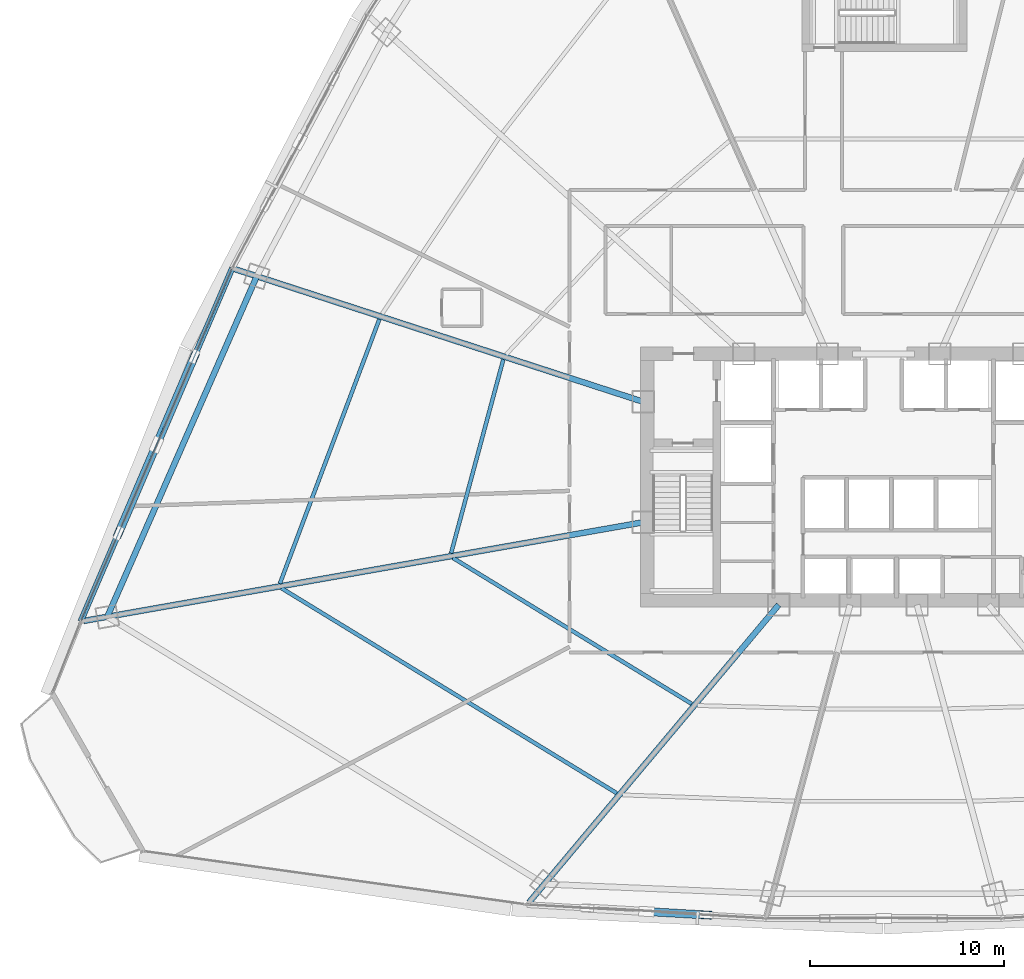
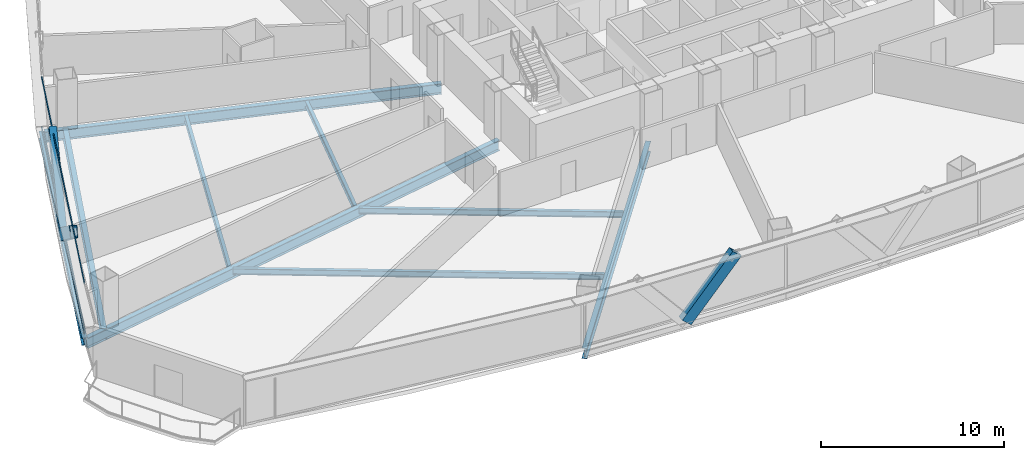
# One storey, part 7 of 37: 9 beams, 5 members, 1 element without a shape of its own.
"""IFC4 building model written with IfcOpenShell, lengths in metres."""

import ifcopenshell
import ifcopenshell.guid

model = None  # the IFC model being written
_history = None  # IfcOwnerHistory: only IFC2X3 demands one
_inside = {}  # id of a spatial element -> (the spatial element, [elements in it])
_under = {}  # id of a project, library or spatial element -> (it, [spatial elements below it])
_declared = {}  # id of a project -> (the project, [libraries it declares])
_typed = {}  # id of a type object -> (the type object, [elements of that type])
_made_of = {}  # id of a material, layer set ... -> (it, [elements and type objects made of it])


def new_model(schema):
    """Start an empty IFC model of exactly this schema.

    Asked for "IFC4X3", IfcOpenShell would pick the latest addendum, in which some entities
    have other attributes; the version numbers below select the first issue.
    IFC2X3 requires an IfcOwnerHistory on every rooted entity: one is made here for all.
    """
    global model, _history
    if schema == "IFC4X3":
        model = ifcopenshell.file(schema_version=(4, 3, 0, 0))
    else:
        model = ifcopenshell.file(schema=schema)
    _inside.clear()
    _under.clear()
    _declared.clear()
    _typed.clear()
    _made_of.clear()
    _history = None
    if model.schema == "IFC2X3":
        org = make("IfcOrganization", Name="unknown")
        user = make(
            "IfcPersonAndOrganization",
            ThePerson=make("IfcPerson", FamilyName="unknown"),
            TheOrganization=org,
        )
        app = make(
            "IfcApplication",
            ApplicationDeveloper=org,
            Version="unknown",
            ApplicationFullName="unknown",
            ApplicationIdentifier="unknown",
        )
        _history = make(
            "IfcOwnerHistory",
            OwningUser=user,
            OwningApplication=app,
            ChangeAction="ADDED",
            CreationDate=0,
        )
    return model


def make(cls, **values):
    """One entity of the class cls with the attributes given. An attribute that is None is left unset."""
    return model.create_entity(
        cls, **{name: value for name, value in values.items() if value is not None}
    )


def rooted(cls, **values):
    """An entity with a GlobalId (a new one), such as an element, a storey or a relation."""
    return make(cls, GlobalId=ifcopenshell.guid.new(), OwnerHistory=_history, **values)


def si_unit(unit_type, name, prefix=None):
    """IfcSIUnit, for example si_unit("LENGTHUNIT", "METRE", prefix="MILLI")."""
    return make("IfcSIUnit", UnitType=unit_type, Prefix=prefix, Name=name)


def assignment(units):
    """IfcUnitAssignment: the units of a project."""
    return None if units is None else make("IfcUnitAssignment", Units=units)


def point(xyz):
    """IfcCartesianPoint."""
    return None if xyz is None else make("IfcCartesianPoint", Coordinates=xyz)


def direction(xyz):
    """IfcDirection."""
    return None if xyz is None else make("IfcDirection", DirectionRatios=xyz)


def frame(location, z_axis=None, x_axis=None):
    """IfcAxis2Placement3D, a coordinate frame: its origin and axes. An axis left out is left unset."""
    return make(
        "IfcAxis2Placement3D",
        Location=point(location),
        Axis=direction(z_axis),
        RefDirection=direction(x_axis),
    )


def frame_2d(location, x_axis=None):
    """IfcAxis2Placement2D, a coordinate frame in the plane: its origin and x axis."""
    return make(
        "IfcAxis2Placement2D", Location=point(location), RefDirection=direction(x_axis)
    )


def origin():
    """The frame at (0, 0, 0) with its axes left unset."""
    return frame((0.0, 0.0, 0.0))


def origin_2d():
    """The frame at (0, 0) in the plane with its x axis left unset."""
    return frame_2d((0.0, 0.0))


def place(relative_to, where):
    """IfcLocalPlacement: puts the frame where relative to a parent placement (None: the world)."""
    return make(
        "IfcLocalPlacement", PlacementRelTo=relative_to, RelativePlacement=where
    )


def context(
    kind, dimensions, precision=None, world=None, true_north=None, identifier=None
):
    """IfcGeometricRepresentationContext, for example the 3D "Model" context."""
    return make(
        "IfcGeometricRepresentationContext",
        ContextIdentifier=identifier,
        ContextType=kind,
        CoordinateSpaceDimension=dimensions,
        Precision=precision,
        WorldCoordinateSystem=world,
        TrueNorth=true_north,
    )


def subcontext(parent, identifier, kind, view, scale=None):
    """IfcGeometricRepresentationSubContext, for example "Body" below "Model"."""
    return make(
        "IfcGeometricRepresentationSubContext",
        ContextIdentifier=identifier,
        ContextType=kind,
        ParentContext=parent,
        TargetScale=scale,
        TargetView=view,
    )


def project(units=None, contexts=None):
    """IfcProject with its units and contexts."""
    return rooted(
        "IfcProject",
        Name="project",
        RepresentationContexts=contexts,
        UnitsInContext=assignment(units),
    )


def spatial(cls, under=None, at=None, **own):
    """A site, building, storey or space (cls), placed at a placement, below another one or the project."""
    s = rooted(cls, ObjectPlacement=at, **own)
    if under is not None:
        _under.setdefault(under.id(), (under, []))[1].append(s)
    return s


def profile(cls, at=None, kind="AREA", **sizes):
    """A parametric profile (cls). Its sizes go by their IFC names, for example OverallWidth=200.0."""
    return make(cls, ProfileType=kind, Position=at, **sizes)


def hollow_rectangle(**sizes):
    """IfcRectangleHollowProfileDef."""
    return profile("IfcRectangleHollowProfileDef", **sizes)


def i_section(**sizes):
    """IfcIShapeProfileDef."""
    return profile("IfcIShapeProfileDef", **sizes)


def extrude(swept, where, along, depth):
    """IfcExtrudedAreaSolid: the profile swept, set in the frame where, extruded along a direction by depth."""
    return make(
        "IfcExtrudedAreaSolid",
        SweptArea=swept,
        Position=where,
        ExtrudedDirection=direction(along),
        Depth=depth,
    )


def shape(context_of_items, identifier, shape_type, items):
    """IfcShapeRepresentation: the items that make up one representation, for example the "Body"."""
    return make(
        "IfcShapeRepresentation",
        ContextOfItems=context_of_items,
        RepresentationIdentifier=identifier,
        RepresentationType=shape_type,
        Items=items,
    )


def source(mapping_origin, context_of_items, identifier, shape_type, items):
    """IfcRepresentationMap: a shape defined once, which mapped items show again and again."""
    return make(
        "IfcRepresentationMap",
        MappingOrigin=mapping_origin,
        MappedRepresentation=shape(context_of_items, identifier, shape_type, items),
    )


def transform(
    local_origin,
    x_axis=None,
    y_axis=None,
    z_axis=None,
    scale=None,
    scale2=None,
    scale3=None,
    uniform=True,
):
    """IfcCartesianTransformationOperator3D, or its non-uniform kind. x_axis, y_axis, z_axis: its Axis1, 2, 3."""
    if uniform:
        return make(
            "IfcCartesianTransformationOperator3D",
            Axis1=direction(x_axis),
            Axis2=direction(y_axis),
            LocalOrigin=point(local_origin),
            Scale=scale,
            Axis3=direction(z_axis),
        )
    return make(
        "IfcCartesianTransformationOperator3DnonUniform",
        Axis1=direction(x_axis),
        Axis2=direction(y_axis),
        LocalOrigin=point(local_origin),
        Scale=scale,
        Axis3=direction(z_axis),
        Scale2=scale2,
        Scale3=scale3,
    )


def mapped(mapping_source, mapping_target):
    """IfcMappedItem: shows the shape of a source again, moved by a transform."""
    return make(
        "IfcMappedItem", MappingSource=mapping_source, MappingTarget=mapping_target
    )


def material(Name=None, Category=None):
    """IfcMaterial."""
    return make("IfcMaterial", Name=Name, Category=Category)


def layer(
    of_material, thickness, ventilated=None, Name=None, Category=None, Priority=None
):
    """IfcMaterialLayer: one layer of a wall or slab, of a material (None: an air gap)."""
    return make(
        "IfcMaterialLayer",
        Material=of_material,
        LayerThickness=thickness,
        IsVentilated=ventilated,
        Name=Name,
        Category=Category,
        Priority=Priority,
    )


def layer_set(layers, Name=None):
    """IfcMaterialLayerSet."""
    return make("IfcMaterialLayerSet", MaterialLayers=layers, LayerSetName=Name)


def material_profile(
    of_material, cross_section, Name=None, Category=None, Priority=None
):
    """IfcMaterialProfile: a cross section and its material."""
    return make(
        "IfcMaterialProfile",
        Name=Name,
        Material=of_material,
        Profile=cross_section,
        Priority=Priority,
        Category=Category,
    )


def profile_set(profiles, Name=None, composite=None):
    """IfcMaterialProfileSet."""
    return make(
        "IfcMaterialProfileSet",
        Name=Name,
        MaterialProfiles=profiles,
        CompositeProfile=composite,
    )


def made_of(thing, what):
    """Note that an element or type object is made of a material, layer set ...; save() writes the relation."""
    if what is not None:
        _made_of.setdefault(what.id(), (what, []))[1].append(thing)
    return thing


def type_object(cls, material=None, **own):
    """A type object (cls), such as IfcWallType, which elements share."""
    return made_of(rooted(cls, **own), material)


def element(
    cls,
    number,
    at=None,
    inside=None,
    cuts=None,
    type_object=None,
    material=None,
    context=None,
    identifier="Body",
    shape_type=None,
    held_by="IfcProductDefinitionShape",
    body=None,
    shapes=None,
    **own,
):
    """One element of the class cls, such as IfcWall. Its Tag is "e" and its number.

    at: its placement. inside: the storey or other place that contains it. cuts: it is an
    opening in that element (IfcRelVoidsElement). A single representation is given by context,
    identifier, shape_type and body (its items); several are given by shapes. held_by: the class
    of the entity that holds the representations. save() writes the other relations.
    """
    e = rooted(cls, Tag="e%d" % number, ObjectPlacement=at, **own)
    if body is not None:
        shapes = [shape(context, identifier, shape_type, body)]
    if shapes is not None:
        e.Representation = make(held_by, Representations=shapes)
    if inside is not None:
        _inside.setdefault(inside.id(), (inside, []))[1].append(e)
    if cuts is not None:
        rooted(
            "IfcRelVoidsElement", RelatingBuildingElement=cuts, RelatedOpeningElement=e
        )
    if type_object is not None:
        _typed.setdefault(type_object.id(), (type_object, []))[1].append(e)
    return made_of(e, material)


def aggregate(whole, parts):
    """IfcRelAggregates: a whole, such as a stair, and the parts it consists of."""
    return rooted("IfcRelAggregates", RelatingObject=whole, RelatedObjects=parts)


def save(model, path):
    """Write the relations noted so far, then the file.

    IfcRelAggregates (storeys below a building ...), IfcRelContainedInSpatialStructure (elements
    in a storey), IfcRelDefinesByType, IfcRelAssociatesMaterial and IfcRelDeclares: one each for
    every whole, place, type object, material and project.
    """
    for whole, parts in _under.values():
        aggregate(whole, parts)
    for where, things in _inside.values():
        rooted(
            "IfcRelContainedInSpatialStructure",
            RelatedElements=things,
            RelatingStructure=where,
        )
    for kind, things in _typed.values():
        rooted("IfcRelDefinesByType", RelatedObjects=things, RelatingType=kind)
    for what, things in _made_of.values():
        rooted("IfcRelAssociatesMaterial", RelatedObjects=things, RelatingMaterial=what)
    for by, libraries in _declared.values():
        rooted("IfcRelDeclares", RelatingContext=by, RelatedDefinitions=libraries)
    model.write(path)


model = new_model("IFC4")

# Units and contexts
model_context = context("Model", 3, precision=1e-05, world=origin(), true_north=direction((0.0, 1.0)))
body_context = subcontext(model_context, "Body", "Model", "MODEL_VIEW")
ifc_project = project(units=[si_unit("LENGTHUNIT", "METRE"), si_unit("AREAUNIT", "SQUARE_METRE"), si_unit("VOLUMEUNIT", "CUBIC_METRE"), si_unit("PLANEANGLEUNIT", "RADIAN"), si_unit("MASSUNIT", "GRAM", prefix="KILO"), si_unit("THERMODYNAMICTEMPERATUREUNIT", "KELVIN"), si_unit("POWERUNIT", "WATT")], contexts=[model_context])

# Site, building, storey
site_placement = place(None, origin())
site = spatial("IfcSite", under=ifc_project, at=site_placement, CompositionType="ELEMENT")
building_placement = place(site_placement, origin())
building = spatial("IfcBuilding", under=site, at=building_placement, Name="Yunzhuo Pagoda Commons", CompositionType="ELEMENT")
storey_placement = place(building_placement, frame((0.0, 0.0, 55.81005859375)))
storey = spatial("IfcBuildingStorey", under=building, at=storey_placement, Name="L14", CompositionType="ELEMENT", Elevation=55.81005859375)

# Beams
ifc_material_1 = material(Name="Structural steel Q355B", Category="steel")
ifc_material_profile_1 = material_profile(ifc_material_1, i_section(OverallWidth=0.300048828125, OverallDepth=0.699951171875, WebThickness=0.012939453125, FlangeThickness=0.02392578125, at=origin_2d()), Name="Structural steel Q355B")
ifc_profile_set_1 = profile_set([ifc_material_profile_1], Name="Structural steel Q355B")
beam_type_1 = type_object("IfcBeamType", Name="B-RG1 Beam HN 700x300x13x24", PredefinedType="BEAM", material=ifc_profile_set_1)
shared_shape_1 = source(origin(), body_context, "Body", "SweptSolid", [
    extrude(i_section(OverallWidth=0.300048828125, OverallDepth=0.699951171875, WebThickness=0.012939453125, FlangeThickness=0.02392578125, at=origin_2d()), origin(), (0.0, 0.0, 1.0), 19.18603515625),
])
beam_1_placement = place(storey_placement, frame((15.66455078125, 44.206298828125, -0.610107421875), z_axis=(-0.40196534204, -0.915654882474, 0.0), x_axis=(0.915654882474, -0.40196534204, 0.0)))
element("IfcBeam", 1, at=beam_1_placement, inside=storey, type_object=beam_type_1, Name="L14 column-ring beam 11", PredefinedType="BEAM", context=body_context, shape_type="MappedRepresentation", body=[
    mapped(shared_shape_1, transform((0.0, 0.0, 0.0), scale=1.0)),
])
ifc_material_profile_2 = material_profile(ifc_material_1, i_section(OverallWidth=0.199951171875, OverallDepth=0.39990234375, WebThickness=0.008056640625, FlangeThickness=0.012939453125, at=origin_2d()), Name="Structural steel Q355B")
ifc_profile_set_2 = profile_set([ifc_material_profile_2], Name="Structural steel Q355B")
beam_type_2 = type_object("IfcBeamType", Name="B-JS1 Joist HN 400x200x8x13", PredefinedType="JOIST", material=ifc_profile_set_2)
shared_shape_2 = source(origin(), body_context, "Body", "SweptSolid", [
    extrude(i_section(OverallWidth=0.199951171875, OverallDepth=0.39990234375, WebThickness=0.008056640625, FlangeThickness=0.012939453125, at=origin_2d()), origin(), (0.0, 0.0, 1.0), 14.4365234375),
])
beam_2_placement = place(storey_placement, frame((25.782470703125, 29.675537109375, -0.4599609375), z_axis=(0.85325633277, -0.521491735876, 0.0), x_axis=(0.521491735876, 0.85325633277, 0.0)))
element("IfcBeam", 2, at=beam_2_placement, inside=storey, type_object=beam_type_2, Name="L14 composite ring joist 1.12", PredefinedType="JOIST", context=body_context, shape_type="MappedRepresentation", body=[
    mapped(shared_shape_2, transform((0.0, 0.0, 0.0), scale=1.0)),
])
shared_shape_3 = source(origin(), body_context, "Body", "SweptSolid", [
    extrude(i_section(OverallWidth=0.199951171875, OverallDepth=0.39990234375, WebThickness=0.008056640625, FlangeThickness=0.012939453125, at=origin_2d()), origin(), (0.0, 0.0, 1.0), 20.275634765625),
])
beam_3_placement = place(storey_placement, frame((16.935302734375, 28.11572265625, -0.4599609375), z_axis=(0.853102898066, -0.521742700295, 0.0), x_axis=(0.521742700295, 0.853102898066, 0.0)))
element("IfcBeam", 3, at=beam_3_placement, inside=storey, type_object=beam_type_2, Name="L14 composite ring joist 2.12", PredefinedType="JOIST", context=body_context, shape_type="MappedRepresentation", body=[
    mapped(shared_shape_3, transform((0.0, 0.0, 0.0), scale=1.0)),
])
shared_shape_4 = source(origin(), body_context, "Body", "SweptSolid", [
    extrude(i_section(OverallWidth=0.199951171875, OverallDepth=0.39990234375, WebThickness=0.008056640625, FlangeThickness=0.012939453125, at=origin_2d()), origin(), (0.0, 0.0, 1.0), 10.351806640625),
])
beam_4_placement = place(storey_placement, frame((28.3818359375, 39.9072265625, -0.4599609375), z_axis=(-0.260208595802, -0.965552425646, 0.0), x_axis=(0.965552425646, -0.260208595802, 0.0)))
element("IfcBeam", 4, at=beam_4_placement, inside=storey, type_object=beam_type_2, Name="L14 composite ring joist 1.11", PredefinedType="JOIST", context=body_context, shape_type="MappedRepresentation", body=[
    mapped(shared_shape_4, transform((0.0, 0.0, 0.0), scale=1.0)),
])
shared_shape_5 = source(origin(), body_context, "Body", "SweptSolid", [
    extrude(i_section(OverallWidth=0.199951171875, OverallDepth=0.39990234375, WebThickness=0.008056640625, FlangeThickness=0.012939453125, at=origin_2d()), origin(), (0.0, 0.0, 1.0), 14.571044921875),
])
beam_5_placement = place(storey_placement, frame((21.98779296875, 41.98486328125, -0.4599609375), z_axis=(-0.352208383632, -0.935921607027, 0.0), x_axis=(0.935921607027, -0.352208383632, 0.0)))
element("IfcBeam", 5, at=beam_5_placement, inside=storey, type_object=beam_type_2, Name="L14 composite ring joist 2.11", PredefinedType="JOIST", context=body_context, shape_type="MappedRepresentation", body=[
    mapped(shared_shape_5, transform((0.0, 0.0, 0.0), scale=1.0)),
])
shared_shape_6 = source(origin(), body_context, "Body", "SweptSolid", [
    extrude(i_section(OverallWidth=0.300048828125, OverallDepth=0.699951171875, WebThickness=0.012939453125, FlangeThickness=0.02392578125, at=origin_2d()), origin(), (0.0, 0.0, 1.0), 20.031005859375),
])
beam_6_placement = place(storey_placement, frame((29.712158203125, 11.9052734375, -0.610107421875), z_axis=(0.642786965849, 0.766044983362, 0.0), x_axis=(-0.766044983362, 0.642786965849, 0.0)))
element("IfcBeam", 6, at=beam_6_placement, inside=storey, type_object=beam_type_1, Name="L14 radial floor girder F1C1", PredefinedType="BEAM", context=body_context, shape_type="MappedRepresentation", body=[
    mapped(shared_shape_6, transform((0.0, 0.0, 0.0), scale=1.0)),
])
shared_shape_7 = source(origin(), body_context, "Body", "SweptSolid", [
    extrude(i_section(OverallWidth=0.300048828125, OverallDepth=0.699951171875, WebThickness=0.012939453125, FlangeThickness=0.02392578125, at=origin_2d()), origin(), (0.0, 0.0, 1.0), 29.313232421875),
])
beam_7_placement = place(storey_placement, frame((6.732177734375, 26.42333984375, -0.610107421875), z_axis=(0.984808367131, 0.173644694792, 0.0), x_axis=(-0.173644694792, 0.984808367131, 0.0)))
element("IfcBeam", 7, at=beam_7_placement, inside=storey, type_object=beam_type_1, Name="L14 radial floor girder F3C4", PredefinedType="BEAM", context=body_context, shape_type="MappedRepresentation", body=[
    mapped(shared_shape_7, transform((0.0, 0.0, 0.0), scale=1.0)),
])
shared_shape_8 = source(origin(), body_context, "Body", "SweptSolid", [
    extrude(i_section(OverallWidth=0.300048828125, OverallDepth=0.699951171875, WebThickness=0.012939453125, FlangeThickness=0.02392578125, at=origin_2d()), origin(), (0.0, 0.0, 1.0), 22.139404296875),
])
beam_8_placement = place(storey_placement, frame((14.54443359375, 44.570556640625, -0.610107421875), z_axis=(0.951054488387, -0.309023235565, 0.0), x_axis=(0.309023235565, 0.951054488387, 0.0)))
element("IfcBeam", 8, at=beam_8_placement, inside=storey, type_object=beam_type_1, Name="L14 radial floor girder F3C3", PredefinedType="BEAM", context=body_context, shape_type="MappedRepresentation", body=[
    mapped(shared_shape_8, transform((0.0, 0.0, 0.0), scale=1.0)),
])
ifc_material_profile_3 = material_profile(ifc_material_1, i_section(OverallWidth=0.300048828125, OverallDepth=0.488037109375, WebThickness=0.010986328125, FlangeThickness=0.01806640625, at=origin_2d()), Name="Structural steel Q355B")
ifc_profile_set_3 = profile_set([ifc_material_profile_3], Name="Structural steel Q355B")
beam_type_3 = type_object("IfcBeamType", Name="B-SP1 Beam HM 488x300x11x18", PredefinedType="BEAM", material=ifc_profile_set_3)
shared_shape_9 = source(origin(), body_context, "Body", "SweptSolid", [
    extrude(i_section(OverallWidth=0.300048828125, OverallDepth=0.488037109375, WebThickness=0.010986328125, FlangeThickness=0.01806640625, at=origin_2d()), origin(), (0.0, 0.0, 1.0), 19.828125),
])
beam_9_placement = place(storey_placement, frame((14.397216796875, 44.618408203125, -0.504150390625), z_axis=(-0.394280372783, -0.918990199969, 0.0), x_axis=(0.918990199969, -0.394280372783, 0.0)))
element("IfcBeam", 9, at=beam_9_placement, inside=storey, type_object=beam_type_3, Name="L14 facade edge spandrel beam F3.3", PredefinedType="BEAM", context=body_context, shape_type="MappedRepresentation", body=[
    mapped(shared_shape_9, transform((0.0, 0.0, 0.0), scale=1.0)),
])

# Members
ifc_material_2 = material(Name="Structural steel Q420B", Category="steel")
ifc_material_profile_4 = material_profile(ifc_material_2, hollow_rectangle(XDim=0.419921875, YDim=0.719970703125, WallThickness=0.028076171875, at=origin_2d()), Name="Structural steel Q420B")
ifc_profile_set_4 = profile_set([ifc_material_profile_4], Name="Structural steel Q420B")
member_type_1 = type_object("IfcMemberType", Name="M-DL1 Brace BOX 720x420x28", PredefinedType="BRACE", material=ifc_profile_set_4)
shared_shape_10 = source(origin(), body_context, "Body", "SweptSolid", [
    extrude(hollow_rectangle(XDim=0.419921875, YDim=0.719970703125, WallThickness=0.028076171875, at=origin_2d()), origin(), (0.0, 0.0, 1.0), 4.7646484375),
])
member_1_placement = place(storey_placement, frame((35.77490234375, 11.4306640625, -0.260009765625), z_axis=(0.646697772317, -0.037302589196, 0.761833648587), x_axis=(0.057585922133, 0.998340553905, 0.0)))
element("IfcMember", 10, at=member_1_placement, inside=storey, type_object=member_type_1, Name="L14 facade diamond brace F1.1R", PredefinedType="BRACE", context=body_context, shape_type="MappedRepresentation", body=[
    mapped(shared_shape_10, transform((0.0, 0.0, 0.0), scale=1.0)),
])
shared_shape_11 = source(origin(), body_context, "Body", "SweptSolid", [
    extrude(hollow_rectangle(XDim=0.419921875, YDim=0.719970703125, WallThickness=0.028076171875, at=origin_2d()), origin(), (0.0, 0.0, 1.0), 6.14404296875),
])
member_2_placement = place(storey_placement, frame((10.48828125, 35.50732421875, -0.260009765625), z_axis=(-0.318131604622, -0.741446116742, 0.590804483826), x_axis=(0.918979362661, -0.394305631463, 0.0)))
element("IfcMember", 11, at=member_2_placement, inside=storey, type_object=member_type_1, Name="L14 facade diamond brace F3.3R", PredefinedType="BRACE", context=body_context, shape_type="MappedRepresentation", body=[
    mapped(shared_shape_11, transform((0.0, 0.0, 0.0), scale=1.0)),
])
shared_shape_12 = source(origin(), body_context, "Body", "SweptSolid", [
    extrude(hollow_rectangle(XDim=0.419921875, YDim=0.719970703125, WallThickness=0.028076171875, at=origin_2d()), origin(), (0.0, 0.0, 1.0), 6.143798828125),
])
member_3_placement = place(storey_placement, frame((10.48828125, 35.50732421875, -0.260009765625), z_axis=(0.318095888952, 0.741455489313, 0.590811952147), x_axis=(-0.918997208693, 0.394264036421, 0.0)))
element("IfcMember", 12, at=member_3_placement, inside=storey, type_object=member_type_1, Name="L14 facade diamond brace F3.3L", PredefinedType="BRACE", context=body_context, shape_type="MappedRepresentation", body=[
    mapped(shared_shape_12, transform((0.0, 0.0, 0.0), scale=1.0)),
])

# Curtain wall, members
ifc_material_3 = material(Name="Anodized aluminium 6063-T6", Category="aluminium")
ifc_layer = layer(ifc_material_3, 0.1650390625)
ifc_layer_set = layer_set([ifc_layer], Name="Anodized aluminium 6063-T6")
curtain_wall_type = type_object("IfcCurtainWallType", Name="CW-LOW Low-Zone Ribbon Curtain Wall", PredefinedType="NOTDEFINED", material=ifc_layer_set)
curtain_wall_placement = place(storey_placement, origin())
curtain_wall = element("IfcCurtainWall", 13, at=curtain_wall_placement, inside=storey, type_object=curtain_wall_type, Name="L14 curtain wall CW-L14-F3B4", PredefinedType="NOTDEFINED")
ifc_material_profile_5 = material_profile(ifc_material_3, hollow_rectangle(XDim=0.06005859375, YDim=0.139892578125, WallThickness=0.00341796875, at=origin_2d()), Name="Anodized aluminium 6063-T6")
ifc_profile_set_5 = profile_set([ifc_material_profile_5], Name="Anodized aluminium 6063-T6")
member_type_2 = type_object("IfcMemberType", Name="CW-LOW-T Transom RHS 140x60x3.5", PredefinedType="USERDEFINED", material=ifc_profile_set_5)
shared_shape_13 = source(origin(), body_context, "Body", "SweptSolid", [
    extrude(hollow_rectangle(XDim=0.06005859375, YDim=0.139892578125, WallThickness=0.00341796875, at=origin_2d()), origin(), (0.0, 0.0, 1.0), 19.6982421875),
])
member_4_placement = place(storey_placement, frame((14.37158203125, 44.55859375, 0.030029296875), z_axis=(-0.39426780009, -0.918995594011, 0.0), x_axis=(0.918995594011, -0.39426780009, 0.0)))
member_4 = element("IfcMember", 14, at=member_4_placement, type_object=member_type_2, Name="CW transom 1.1", ObjectType="TRANSOM", PredefinedType="USERDEFINED", context=body_context, shape_type="MappedRepresentation", body=[
    mapped(shared_shape_13, transform((0.0, 0.0, 0.0), scale=1.0)),
])
member_5_placement = place(storey_placement, frame((14.37158203125, 44.55859375, 3.33984375), z_axis=(-0.39426780009, -0.918995594011, 0.0), x_axis=(0.918995594011, -0.39426780009, 0.0)))
member_5 = element("IfcMember", 15, at=member_5_placement, type_object=member_type_2, Name="CW transom 1.2", ObjectType="TRANSOM", PredefinedType="USERDEFINED", context=body_context, shape_type="MappedRepresentation", body=[
    mapped(shared_shape_13, transform((0.0, 0.0, 0.0), scale=1.0)),
])
aggregate(curtain_wall, [member_4, member_5])

save(model, "model.ifc")
